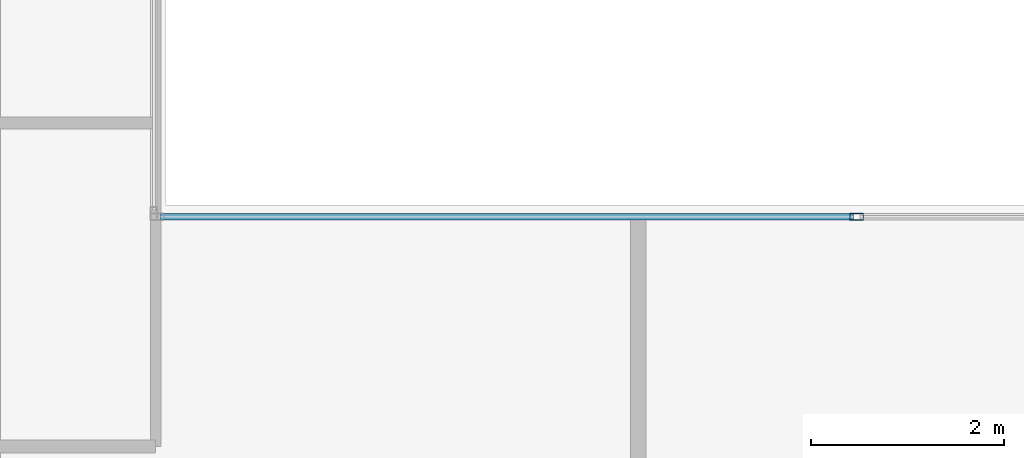
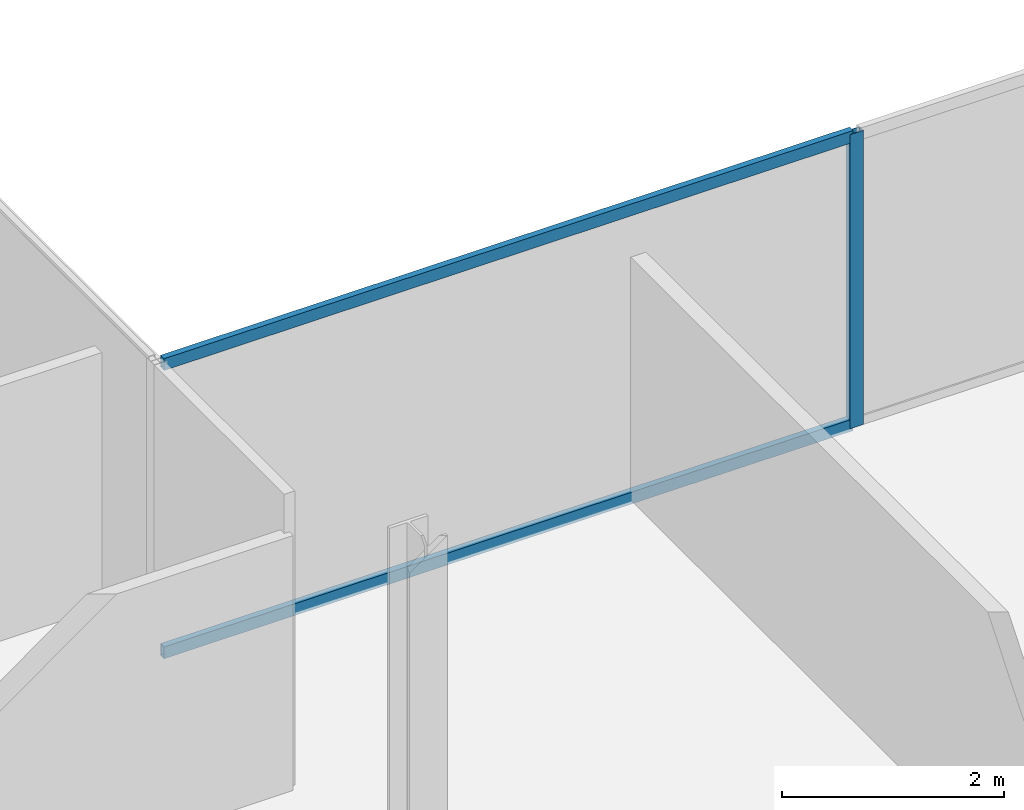
# One storey, part 9 of 24: 3 members, 1 element without a shape of its own.
"""IFC4 building model written with IfcOpenShell, lengths in metres."""

from ifc_helpers import new_model, si_unit, direction, frame, origin, origin_2d, place, context, subcontext, project, spatial, hollow_rectangle, extrude, material, material_profile, profile_set, type_object, element, aggregate, save


model = new_model("IFC4")

# Units and contexts
model_context = context("Model", 3, precision=1e-05, world=origin(), true_north=direction((0.0, 1.0)))
body_context = subcontext(model_context, "Body", "Model", "MODEL_VIEW")
ifc_project = project(units=[si_unit("LENGTHUNIT", "METRE"), si_unit("AREAUNIT", "SQUARE_METRE"), si_unit("VOLUMEUNIT", "CUBIC_METRE"), si_unit("PLANEANGLEUNIT", "RADIAN"), si_unit("MASSUNIT", "GRAM", prefix="KILO")], contexts=[model_context])

# Site, building, storey
site_placement = place(None, origin())
site = spatial("IfcSite", under=ifc_project, at=site_placement, CompositionType="ELEMENT")
building_placement = place(site_placement, origin())
building = spatial("IfcBuilding", under=site, at=building_placement, Name="Cobrela Telecom Tower", CompositionType="ELEMENT")
storey_placement = place(building_placement, frame((0.0, 0.0, 244.64990234375)))
storey = spatial("IfcBuildingStorey", under=building, at=storey_placement, Name="L63", CompositionType="ELEMENT", Elevation=244.64990234375)

# Curtain wall, members
ifc_material = material(Name="Anodized Bronze Aluminium 6063-T6", Category="aluminium")
curtain_wall_type = type_object("IfcCurtainWallType", Name="CW-SYS-OFF-HI", PredefinedType="USERDEFINED", material=ifc_material)
curtain_wall_placement = place(storey_placement, origin())
curtain_wall = element("IfcCurtainWall", 1, at=curtain_wall_placement, inside=storey, type_object=curtain_wall_type, Name="L63 Unitised Bronze Curtain Wall 09", ObjectType="UNITISED CURTAIN WALL", PredefinedType="USERDEFINED")
ifc_material_profile_1 = material_profile(ifc_material, hollow_rectangle(XDim=0.070068359375, YDim=0.139892578125, WallThickness=0.00390625, at=origin_2d()), Name="ALU 70x140x4")
ifc_profile_set_1 = profile_set([ifc_material_profile_1], Name="Anodized Bronze Aluminium 6063-T6")
member_type_1 = type_object("IfcMemberType", Name="CW-SYS-OFF-HI-MUL", PredefinedType="MULLION", material=ifc_profile_set_1)
member_1_placement = place(storey_placement, frame((28.163330078125, 25.080078125, 0.0), z_axis=(0.0, 0.0, 1.0), x_axis=(0.0, 1.0, 0.0)))
member_1 = element("IfcMember", 2, at=member_1_placement, type_object=member_type_1, Name="CW-OFF-HI mullion 2", PredefinedType="MULLION", context=body_context, shape_type="SweptSolid", body=[
    extrude(hollow_rectangle(XDim=0.070068359375, YDim=0.139892578125, WallThickness=0.00390625, at=origin_2d()), origin(), (0.0, 0.0, 1.0), 3.239990234375),
])
ifc_material_profile_2 = material_profile(ifc_material, hollow_rectangle(XDim=0.06494140625, YDim=0.1298828125, WallThickness=0.00390625, at=origin_2d()), Name="ALU 65x130x4")
ifc_profile_set_2 = profile_set([ifc_material_profile_2], Name="Anodized Bronze Aluminium 6063-T6")
member_type_2 = type_object("IfcMemberType", Name="CW-SYS-OFF-HI-TRN", PredefinedType="USERDEFINED", material=ifc_profile_set_2)
member_2_placement = place(storey_placement, frame((20.949951171875, 25.080078125, 0.03271484375), z_axis=(1.0, 0.0, 0.0), x_axis=(0.0, 1.0, 0.0)))
member_2 = element("IfcMember", 3, at=member_2_placement, type_object=member_type_2, Name="CW-OFF-HI transom 1.1", ObjectType="TRANSOM", PredefinedType="USERDEFINED", context=body_context, shape_type="SweptSolid", body=[
    extrude(hollow_rectangle(XDim=0.06494140625, YDim=0.1298828125, WallThickness=0.00390625, at=origin_2d()), origin(), (0.0, 0.0, 1.0), 7.178466796875),
])
member_3_placement = place(storey_placement, frame((20.949951171875, 25.080078125, 3.20751953125), z_axis=(1.0, 0.0, 0.0), x_axis=(0.0, 1.0, 0.0)))
member_3 = element("IfcMember", 4, at=member_3_placement, type_object=member_type_2, Name="CW-OFF-HI transom 1.2", ObjectType="TRANSOM", PredefinedType="USERDEFINED", context=body_context, shape_type="SweptSolid", body=[
    extrude(hollow_rectangle(XDim=0.06494140625, YDim=0.1298828125, WallThickness=0.00390625, at=origin_2d()), origin(), (0.0, 0.0, 1.0), 7.178466796875),
])
aggregate(curtain_wall, [member_1, member_2, member_3])

save(model, "model.ifc")
